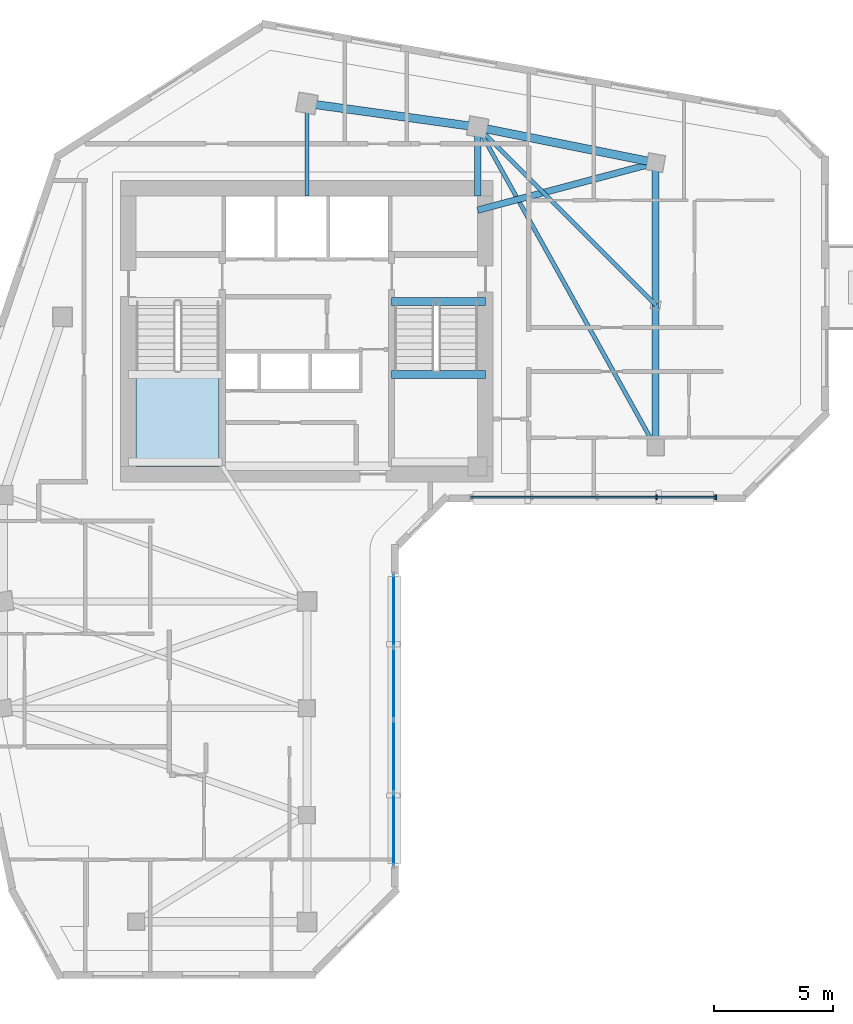
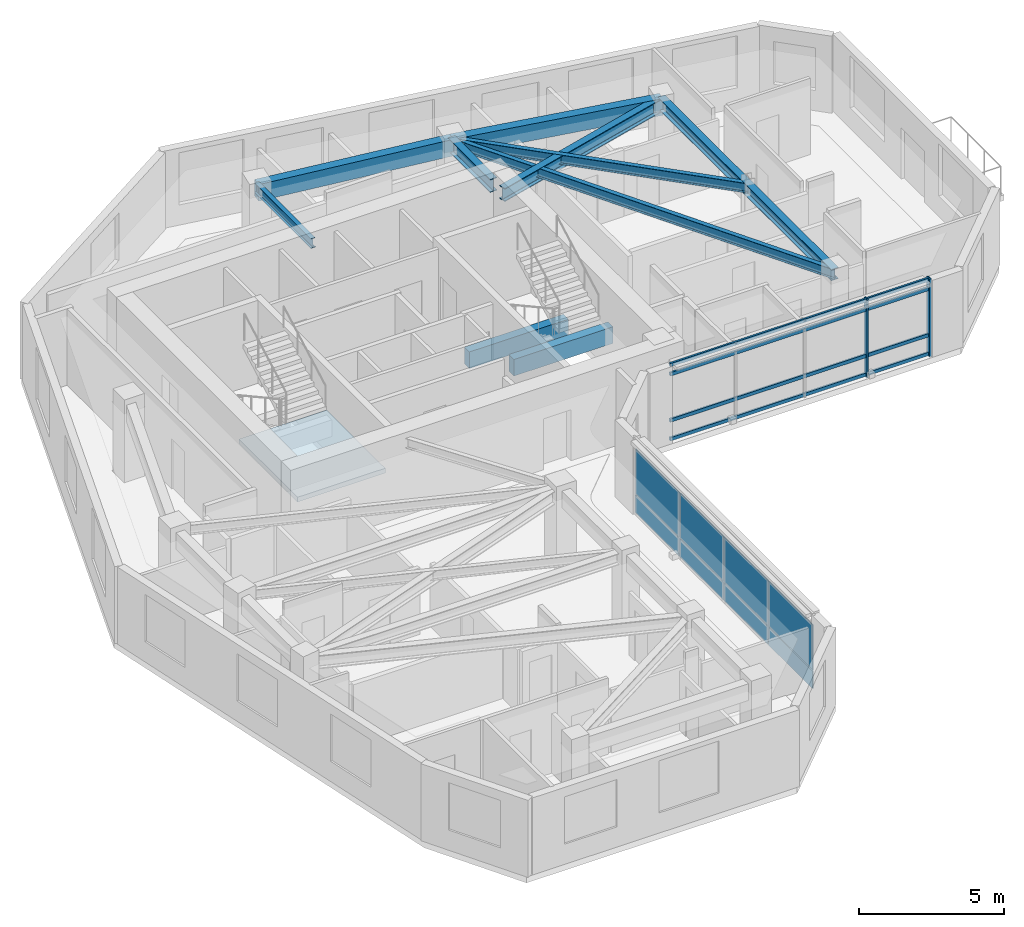
# One storey, part 2 of 10: 10 beams, 8 plates, 6 members, 1 slab, 3 elements without a shape of their own.
"""IFC4 building model written with IfcOpenShell, lengths in metres."""

from ifc_helpers import new_model, si_unit, direction, frame, frame_2d, origin, origin_2d, place, context, subcontext, project, spatial, polyline, rectangle, i_section, outline, extrude, source, transform, mapped, material, layer, layer_set, material_profile, profile_set, type_object, element, aggregate, save


model = new_model("IFC4")

# Units and contexts
model_context = context("Model", 3, precision=1e-05, world=origin(), true_north=direction((0.0, 1.0)))
body_context = subcontext(model_context, "Body", "Model", "MODEL_VIEW")
ifc_project = project(units=[si_unit("LENGTHUNIT", "METRE"), si_unit("AREAUNIT", "SQUARE_METRE"), si_unit("VOLUMEUNIT", "CUBIC_METRE"), si_unit("PLANEANGLEUNIT", "RADIAN"), si_unit("MASSUNIT", "GRAM", prefix="KILO")], contexts=[model_context])

# Site, building, storey
site_placement = place(None, origin())
site = spatial("IfcSite", under=ifc_project, at=site_placement, CompositionType="ELEMENT")
building_placement = place(site_placement, origin())
building = spatial("IfcBuilding", under=site, at=building_placement, Name="Calvemar Wedge Station Tower", CompositionType="ELEMENT")
storey_placement = place(building_placement, frame((0.0, 0.0, 214.89990234375)))
storey = spatial("IfcBuildingStorey", under=building, at=storey_placement, Name="L54", CompositionType="ELEMENT", Elevation=214.89990234375)

# Beams
ifc_material_1 = material(Name="Structural steel ASTM A572 Grade 50", Category="steel")
ifc_material_profile_1 = material_profile(ifc_material_1, i_section(OverallWidth=0.177978515625, OverallDepth=0.406982421875, WebThickness=0.0078125, FlangeThickness=0.0126953125, FilletRadius=0.010009765625, at=origin_2d()), Name="W410x60")
ifc_profile_set_1 = profile_set([ifc_material_profile_1], Name="Structural steel ASTM A572 Grade 50")
beam_type_1 = type_object("IfcBeamType", Name="BM-J3-W410", PredefinedType="JOIST", material=ifc_profile_set_1)
shared_shape_1 = source(origin(), body_context, "Body", "SweptSolid", [
    extrude(i_section(OverallWidth=0.177978515625, OverallDepth=0.406982421875, WebThickness=0.0078125, FlangeThickness=0.0126953125, FilletRadius=0.010009765625, at=origin_2d()), origin(), (0.0, 0.0, 1.0), 15.443359375),
])
beam_1_placement = place(storey_placement, frame((31.0, 48.5, 3.046630859375), z_axis=(0.485642931179, -0.874157276122, 0.0), x_axis=(0.874157276122, 0.485642931179, 0.0)))
element("IfcBeam", 1, at=beam_1_placement, inside=storey, type_object=beam_type_1, Name="Storey L54 Floor Beam T-N2-T-NL2", PredefinedType="JOIST", context=body_context, shape_type="MappedRepresentation", body=[
    mapped(shared_shape_1, transform((0.0, 0.0, 0.0), scale=1.0)),
])
ifc_material_profile_2 = material_profile(ifc_material_1, i_section(OverallWidth=0.279052734375, OverallDepth=0.553955078125, WebThickness=0.017578125, FlangeThickness=0.029541015625, FilletRadius=0.014892578125, at=origin_2d()), Name="W530x196")
ifc_profile_set_2 = profile_set([ifc_material_profile_2], Name="Structural steel ASTM A572 Grade 50")
beam_type_2 = type_object("IfcBeamType", Name="BM-SB3-W530H", PredefinedType="BEAM", material=ifc_profile_set_2)
shared_shape_2 = source(origin(), body_context, "Body", "SweptSolid", [
    extrude(i_section(OverallWidth=0.279052734375, OverallDepth=0.553955078125, WebThickness=0.017578125, FlangeThickness=0.029541015625, FilletRadius=0.014892578125, at=origin_2d()), origin(), (0.0, 0.0, 1.0), 7.76220703125),
])
beam_2_placement = place(storey_placement, frame((31.0, 45.0, 2.97314453125), z_axis=(0.966234939601, 0.25766265056, 0.0), x_axis=(-0.25766265056, 0.966234939601, 0.0)))
element("IfcBeam", 2, at=beam_2_placement, inside=storey, type_object=beam_type_2, Name="Storey L54 Core-to-Column Joist CJ-E2", PredefinedType="BEAM", context=body_context, shape_type="MappedRepresentation", body=[
    mapped(shared_shape_2, transform((0.0, 0.0, 0.0), scale=1.0)),
])
shared_shape_3 = source(origin(), body_context, "Body", "SweptSolid", [
    extrude(i_section(OverallWidth=0.177978515625, OverallDepth=0.406982421875, WebThickness=0.0078125, FlangeThickness=0.0126953125, FilletRadius=0.010009765625, at=origin_2d()), origin(), (0.0, 0.0, 1.0), 3.89990234375),
])
beam_3_placement = place(storey_placement, frame((23.800048828125, 45.60009765625, 3.046630859375), z_axis=(0.0, 1.0, 0.0), x_axis=(-1.0, 0.0, 0.0)))
element("IfcBeam", 3, at=beam_3_placement, inside=storey, type_object=beam_type_1, Name="Storey L54 Core-to-Column Joist CJ-N1", PredefinedType="JOIST", context=body_context, shape_type="MappedRepresentation", body=[
    mapped(shared_shape_3, transform((0.0, 0.0, 0.0), scale=1.0)),
])
shared_shape_4 = source(origin(), body_context, "Body", "SweptSolid", [
    extrude(i_section(OverallWidth=0.279052734375, OverallDepth=0.553955078125, WebThickness=0.017578125, FlangeThickness=0.029541015625, FilletRadius=0.014892578125, at=origin_2d()), origin(), (0.0, 0.0, 1.0), 2.89990234375),
])
beam_4_placement = place(storey_placement, frame((31.0, 45.60009765625, 2.97314453125), z_axis=(0.0, 1.0, 0.0), x_axis=(-1.0, 0.0, 0.0)))
element("IfcBeam", 4, at=beam_4_placement, inside=storey, type_object=beam_type_2, Name="Storey L54 Core-to-Column Joist CJ-N2", PredefinedType="BEAM", context=body_context, shape_type="MappedRepresentation", body=[
    mapped(shared_shape_4, transform((0.0, 0.0, 0.0), scale=1.0)),
])
shared_shape_5 = source(origin(), body_context, "Body", "SweptSolid", [
    extrude(i_section(OverallWidth=0.177978515625, OverallDepth=0.406982421875, WebThickness=0.0078125, FlangeThickness=0.0126953125, FilletRadius=0.010009765625, at=origin_2d()), origin(), (0.0, 0.0, 1.0), 10.606689453125),
])
beam_5_placement = place(storey_placement, frame((38.5, 41.0, 3.046630859375), z_axis=(-0.707106781187, 0.707106781187, 0.0), x_axis=(-0.707106781187, -0.707106781187, 0.0)))
element("IfcBeam", 5, at=beam_5_placement, inside=storey, type_object=beam_type_1, Name="Storey L54 Floor Beam T-NTIP-B-T-N2", PredefinedType="JOIST", context=body_context, shape_type="MappedRepresentation", body=[
    mapped(shared_shape_5, transform((0.0, 0.0, 0.0), scale=1.0)),
])
ifc_material_2 = material(Name="Concrete C70", Category="concrete")
ifc_material_profile_3 = material_profile(ifc_material_2, rectangle(XDim=0.35009765625, YDim=0.699951171875, at=origin_2d()), Name="RC350x700")
ifc_profile_set_3 = profile_set([ifc_material_profile_3], Name="Concrete C70")
beam_type_3 = type_object("IfcBeamType", Name="BM-LN1-700", PredefinedType="LINTEL", material=ifc_profile_set_3)
shared_shape_6 = source(origin(), body_context, "Body", "SweptSolid", [
    extrude(rectangle(XDim=0.35009765625, YDim=0.699951171875, at=origin_2d()), origin(), (0.0, 0.0, 1.0), 3.954833984375),
])
for number, where, z_axis, x_axis, name in (
    (6, (27.3701171875, 41.14990234375, -0.349853515625), (1.0, 0.0, 0.0), (0.0, 1.0, 0.0), "Storey L54 Stair ST-C2 Landing Trimmer Beam"),
    (7, (27.3701171875, 38.070068359375, 1.2001953125), (1.0, 0.0, 0.0), (0.0, 1.0, 0.0), "Storey L54 Stair ST-C2 Half-Landing Beam 1B"),
):
    element("IfcBeam", number, at=place(storey_placement, frame(where, z_axis=z_axis, x_axis=x_axis)), inside=storey, type_object=beam_type_3, Name=name, PredefinedType="LINTEL", context=body_context, shape_type="MappedRepresentation", body=[
        mapped(shared_shape_6, transform((0.0, 0.0, 0.0), scale=1.0)),
    ])
ifc_material_3 = material(Name="Concrete C50", Category="concrete")
ifc_material_profile_4 = material_profile(ifc_material_3, rectangle(XDim=0.35009765625, YDim=0.699951171875, at=origin_2d()), Name="RC350x700")
ifc_profile_set_4 = profile_set([ifc_material_profile_4], Name="Concrete C50")
beam_type_4 = type_object("IfcBeamType", Name="BM-SP2-700", PredefinedType="SPANDREL", material=ifc_profile_set_4)
shared_shape_7 = source(origin(), body_context, "Body", "SweptSolid", [
    extrude(rectangle(XDim=0.35009765625, YDim=0.699951171875, at=origin_2d()), origin(), (0.0, 0.0, 1.0), 7.26904296875),
])
beam_6_placement = place(storey_placement, frame((23.800048828125, 49.5, 2.900146484375), z_axis=(0.990492146053, -0.13756928657, 0.0), x_axis=(0.13756928657, 0.990492146053, 0.0)))
element("IfcBeam", 8, at=beam_6_placement, inside=storey, type_object=beam_type_4, Name="Storey L54 Spandrel T-N1-T-N2", PredefinedType="SPANDREL", context=body_context, shape_type="MappedRepresentation", body=[
    mapped(shared_shape_7, transform((0.0, 0.0, 0.0), scale=1.0)),
])
shared_shape_8 = source(origin(), body_context, "Body", "SweptSolid", [
    extrude(rectangle(XDim=0.35009765625, YDim=0.699951171875, at=origin_2d()), origin(), (0.0, 0.0, 1.0), 7.6484375),
])
beam_7_placement = place(storey_placement, frame((31.0, 48.5, 2.900146484375), z_axis=(0.980580675691, -0.196116135138, 0.0), x_axis=(0.196116135138, 0.980580675691, 0.0)))
element("IfcBeam", 9, at=beam_7_placement, inside=storey, type_object=beam_type_4, Name="Storey L54 Spandrel T-N2-T-NU3", PredefinedType="SPANDREL", context=body_context, shape_type="MappedRepresentation", body=[
    mapped(shared_shape_8, transform((0.0, 0.0, 0.0), scale=1.0)),
])
ifc_material_profile_5 = material_profile(ifc_material_1, i_section(OverallWidth=0.283935546875, OverallDepth=0.47607421875, WebThickness=0.014892578125, FlangeThickness=0.02392578125, FilletRadius=0.014892578125, at=origin_2d()), Name="W460x158")
ifc_profile_set_5 = profile_set([ifc_material_profile_5], Name="Structural steel ASTM A572 Grade 50")
beam_type_5 = type_object("IfcBeamType", Name="BM-SB5-W460H", PredefinedType="BEAM", material=ifc_profile_set_5)
shared_shape_9 = source(origin(), body_context, "Body", "SweptSolid", [
    extrude(i_section(OverallWidth=0.283935546875, OverallDepth=0.47607421875, WebThickness=0.014892578125, FlangeThickness=0.02392578125, FilletRadius=0.014892578125, at=origin_2d()), origin(), (0.0, 0.0, 1.0), 12.0),
])
beam_8_placement = place(storey_placement, frame((38.5, 47.0, 3.01220703125), z_axis=(0.0, -1.0, 0.0), x_axis=(1.0, 0.0, 0.0)))
element("IfcBeam", 10, at=beam_8_placement, inside=storey, type_object=beam_type_5, Name="Storey L54 Floor Beam T-NU3-T-NL2", PredefinedType="BEAM", context=body_context, shape_type="MappedRepresentation", body=[
    mapped(shared_shape_9, transform((0.0, 0.0, 0.0), scale=1.0)),
])

# Curtain wall, members
ifc_material_4 = material(Name="Anodised aluminium 6063-T6", Category="aluminium")
curtain_wall_type = type_object("IfcCurtainWallType", Name="CW3", PredefinedType="NOTDEFINED", material=ifc_material_4)
curtain_wall_1_placement = place(storey_placement, origin())
curtain_wall_1 = element("IfcCurtainWall", 11, at=curtain_wall_1_placement, inside=storey, type_object=curtain_wall_type, Name="Storey L54 CW3 Recessed Unitised Curtain Wall 6", PredefinedType="NOTDEFINED")
ifc_material_profile_6 = material_profile(ifc_material_4, rectangle(XDim=0.074951171875, YDim=0.2099609375, at=origin_2d()), Name="AL-MUL-75x210")
ifc_profile_set_6 = profile_set([ifc_material_profile_6], Name="Anodised aluminium 6063-T6")
member_type_1 = type_object("IfcMemberType", Name="CW3-MUL", PredefinedType="MULLION", material=ifc_profile_set_6)
shared_shape_10 = source(origin(), body_context, "Body", "SweptSolid", [
    extrude(rectangle(XDim=0.074951171875, YDim=0.2099609375, at=origin_2d()), origin(), (0.0, 0.0, 1.0), 3.2998046875),
])
member_1_placement = place(storey_placement, frame((38.5390625, 32.902099609375, -0.0498046875), z_axis=(0.0, 0.0, 1.0), x_axis=(1.0, 0.0, 0.0)))
member_1 = element("IfcMember", 12, at=member_1_placement, type_object=member_type_1, Name="CW3 mullion 4", PredefinedType="MULLION", context=body_context, shape_type="MappedRepresentation", body=[
    mapped(shared_shape_10, transform((0.0, 0.0, 0.0), scale=1.0)),
])
member_2_placement = place(storey_placement, frame((41.037841796875, 32.902099609375, -0.0498046875), z_axis=(0.0, 0.0, 1.0), x_axis=(1.0, 0.0, 0.0)))
member_2 = element("IfcMember", 13, at=member_2_placement, type_object=member_type_1, Name="CW3 mullion 5", PredefinedType="MULLION", context=body_context, shape_type="MappedRepresentation", body=[
    mapped(shared_shape_10, transform((0.0, 0.0, 0.0), scale=1.0)),
])
ifc_material_profile_7 = material_profile(ifc_material_4, rectangle(XDim=0.074951171875, YDim=0.14501953125, at=origin_2d()), Name="AL-TRN-75x145")
ifc_profile_set_7 = profile_set([ifc_material_profile_7], Name="Anodised aluminium 6063-T6")
member_type_2 = type_object("IfcMemberType", Name="CW3-TRN", PredefinedType="USERDEFINED", material=ifc_profile_set_7)
shared_shape_11 = source(origin(), body_context, "Body", "SweptSolid", [
    extrude(rectangle(XDim=0.074951171875, YDim=0.14501953125, at=origin_2d()), origin(), (0.0, 0.0, 1.0), 10.3359375),
])
member_3_placement = place(storey_placement, frame((30.701904296875, 32.902099609375, 0.06005859375), z_axis=(1.0, 0.0, 0.0), x_axis=(0.0, 1.0, 0.0)))
member_3 = element("IfcMember", 14, at=member_3_placement, type_object=member_type_2, Name="CW3 transom 1", ObjectType="TRANSOM", PredefinedType="USERDEFINED", context=body_context, shape_type="MappedRepresentation", body=[
    mapped(shared_shape_11, transform((0.0, 0.0, 0.0), scale=1.0)),
])
member_4_placement = place(storey_placement, frame((30.701904296875, 32.902099609375, 0.85009765625), z_axis=(1.0, 0.0, 0.0), x_axis=(0.0, 1.0, 0.0)))
member_4 = element("IfcMember", 15, at=member_4_placement, type_object=member_type_2, Name="CW3 transom 2", ObjectType="TRANSOM", PredefinedType="USERDEFINED", context=body_context, shape_type="MappedRepresentation", body=[
    mapped(shared_shape_11, transform((0.0, 0.0, 0.0), scale=1.0)),
])
member_5_placement = place(storey_placement, frame((30.701904296875, 32.902099609375, 2.800048828125), z_axis=(1.0, 0.0, 0.0), x_axis=(0.0, 1.0, 0.0)))
member_5 = element("IfcMember", 16, at=member_5_placement, type_object=member_type_2, Name="CW3 transom 3", ObjectType="TRANSOM", PredefinedType="USERDEFINED", context=body_context, shape_type="MappedRepresentation", body=[
    mapped(shared_shape_11, transform((0.0, 0.0, 0.0), scale=1.0)),
])
member_6_placement = place(storey_placement, frame((30.701904296875, 32.902099609375, 3.190185546875), z_axis=(1.0, 0.0, 0.0), x_axis=(0.0, 1.0, 0.0)))
member_6 = element("IfcMember", 17, at=member_6_placement, type_object=member_type_2, Name="CW3 transom 4", ObjectType="TRANSOM", PredefinedType="USERDEFINED", context=body_context, shape_type="MappedRepresentation", body=[
    mapped(shared_shape_11, transform((0.0, 0.0, 0.0), scale=1.0)),
])
aggregate(curtain_wall_1, [member_1, member_2, member_3, member_4, member_5, member_6])

# Curtain wall, plates
curtain_wall_2_placement = place(storey_placement, origin())
curtain_wall_2 = element("IfcCurtainWall", 18, at=curtain_wall_2_placement, inside=storey, type_object=curtain_wall_type, Name="Storey L54 CW3 Recessed Unitised Curtain Wall 4", PredefinedType="NOTDEFINED")
ifc_material_5 = material(Name="Low-E laminated insulated glass", Category="glass")
ifc_layer_1 = layer(ifc_material_5, 0.028076171875)
ifc_layer_set_1 = layer_set([ifc_layer_1], Name="Low-E laminated insulated glass")
plate_type_1 = type_object("IfcPlateType", Name="CW3-GLZ", PredefinedType="CURTAIN_PANEL", material=ifc_layer_set_1)
plate_1_placement = place(storey_placement, frame((27.4541015625, 17.380126953125, 0.8701171875), z_axis=(0.0, 0.0, 1.0), x_axis=(0.0, 1.0, 0.0)))
plate_1 = element("IfcPlate", 19, at=plate_1_placement, type_object=plate_type_1, Name="CW3 vision glass panel 1", PredefinedType="CURTAIN_PANEL", context=body_context, shape_type="SweptSolid", body=[
    extrude(rectangle(XDim=3.036865234375, YDim=0.028076171875, at=frame_2d((1.5185546875, 0.0))), origin(), (0.0, 0.0, 1.0), 1.909912109375),
])
plate_2_placement = place(storey_placement, frame((27.4541015625, 20.453125, 0.8701171875), z_axis=(0.0, 0.0, 1.0), x_axis=(0.0, 1.0, 0.0)))
plate_2 = element("IfcPlate", 20, at=plate_2_placement, type_object=plate_type_1, Name="CW3 vision glass panel 2", PredefinedType="CURTAIN_PANEL", context=body_context, shape_type="SweptSolid", body=[
    extrude(rectangle(XDim=3.036865234375, YDim=0.028076171875, at=frame_2d((1.5185546875, 0.0))), origin(), (0.0, 0.0, 1.0), 1.909912109375),
])
plate_3_placement = place(storey_placement, frame((27.4541015625, 23.526123046875, 0.8701171875), z_axis=(0.0, 0.0, 1.0), x_axis=(0.0, 1.0, 0.0)))
plate_3 = element("IfcPlate", 21, at=plate_3_placement, type_object=plate_type_1, Name="CW3 vision glass panel 3", PredefinedType="CURTAIN_PANEL", context=body_context, shape_type="SweptSolid", body=[
    extrude(rectangle(XDim=3.036865234375, YDim=0.028076171875, at=frame_2d((1.5185546875, 0.0))), origin(), (0.0, 0.0, 1.0), 1.909912109375),
])
plate_4_placement = place(storey_placement, frame((27.4541015625, 26.59912109375, 0.8701171875), z_axis=(0.0, 0.0, 1.0), x_axis=(0.0, 1.0, 0.0)))
plate_4 = element("IfcPlate", 22, at=plate_4_placement, type_object=plate_type_1, Name="CW3 vision glass panel 4", PredefinedType="CURTAIN_PANEL", context=body_context, shape_type="SweptSolid", body=[
    extrude(rectangle(XDim=3.036865234375, YDim=0.028076171875, at=frame_2d((1.5185546875, 0.0))), origin(), (0.0, 0.0, 1.0), 1.909912109375),
])
ifc_material_6 = material(Name="Oxidized bronze aluminium spandrel panel 5005-H24", Category="aluminium")
ifc_layer_2 = layer(ifc_material_6, 0.0400390625)
ifc_layer_set_2 = layer_set([ifc_layer_2], Name="Oxidized bronze aluminium spandrel panel 5005-H24")
plate_type_2 = type_object("IfcPlateType", Name="CW3-SPD", PredefinedType="SHEET", material=ifc_layer_set_2)
plate_5_placement = place(storey_placement, frame((27.4541015625, 17.380126953125, 0.080078125), z_axis=(0.0, 0.0, 1.0), x_axis=(0.0, 1.0, 0.0)))
plate_5 = element("IfcPlate", 23, at=plate_5_placement, type_object=plate_type_2, Name="CW3 bronze spandrel panel 1", PredefinedType="SHEET", context=body_context, shape_type="SweptSolid", body=[
    extrude(rectangle(XDim=3.036865234375, YDim=0.0400390625, at=frame_2d((1.5185546875, 0.0))), origin(), (0.0, 0.0, 1.0), 0.75),
])
plate_6_placement = place(storey_placement, frame((27.4541015625, 20.453125, 0.080078125), z_axis=(0.0, 0.0, 1.0), x_axis=(0.0, 1.0, 0.0)))
plate_6 = element("IfcPlate", 24, at=plate_6_placement, type_object=plate_type_2, Name="CW3 bronze spandrel panel 2", PredefinedType="SHEET", context=body_context, shape_type="SweptSolid", body=[
    extrude(rectangle(XDim=3.036865234375, YDim=0.0400390625, at=frame_2d((1.5185546875, 0.0))), origin(), (0.0, 0.0, 1.0), 0.75),
])
plate_7_placement = place(storey_placement, frame((27.4541015625, 23.526123046875, 0.080078125), z_axis=(0.0, 0.0, 1.0), x_axis=(0.0, 1.0, 0.0)))
plate_7 = element("IfcPlate", 25, at=plate_7_placement, type_object=plate_type_2, Name="CW3 bronze spandrel panel 3", PredefinedType="SHEET", context=body_context, shape_type="SweptSolid", body=[
    extrude(rectangle(XDim=3.036865234375, YDim=0.0400390625, at=frame_2d((1.5185546875, 0.0))), origin(), (0.0, 0.0, 1.0), 0.75),
])
plate_8_placement = place(storey_placement, frame((27.4541015625, 26.59912109375, 0.080078125), z_axis=(0.0, 0.0, 1.0), x_axis=(0.0, 1.0, 0.0)))
plate_8 = element("IfcPlate", 26, at=plate_8_placement, type_object=plate_type_2, Name="CW3 bronze spandrel panel 4", PredefinedType="SHEET", context=body_context, shape_type="SweptSolid", body=[
    extrude(rectangle(XDim=3.036865234375, YDim=0.0400390625, at=frame_2d((1.5185546875, 0.0))), origin(), (0.0, 0.0, 1.0), 0.75),
])
aggregate(curtain_wall_2, [plate_5, plate_1, plate_6, plate_2, plate_7, plate_3, plate_8, plate_4])

# Stair, slab
ifc_material_7 = material(Name="Concrete C45", Category="concrete")
stair_type = type_object("IfcStairType", Name="ST-TYPE-3500", PredefinedType="HALF_TURN_STAIR", material=ifc_material_7)
stair_placement = place(storey_placement, origin())
stair = element("IfcStair", 27, at=stair_placement, inside=storey, type_object=stair_type, Name="L54 Pressurized Core Exit Stair ST-C1", PredefinedType="HALF_TURN_STAIR")
ifc_layer_3 = layer(ifc_material_7, 0.199951171875)
ifc_layer_set_3 = layer_set([ifc_layer_3], Name="Concrete C45")
slab_type = type_object("IfcSlabType", Name="SL-STAIR-LND-200", PredefinedType="LANDING", material=ifc_layer_set_3)
slab_placement = place(storey_placement, frame((0.0, 0.0, 1.550048828125)))
slab = element("IfcSlab", 28, at=slab_placement, type_object=slab_type, Name="ST-C1 landing 1", PredefinedType="LANDING", context=body_context, shape_type="SweptSolid", body=[
    extrude(outline(polyline([(16.60009765625, 38.25), (16.60009765625, 34.199951171875), (20.10009765625, 34.199951171875), (20.10009765625, 38.25), (16.60009765625, 38.25)])), origin(), (0.0, 0.0, 1.0), 0.199951171875),
])
aggregate(stair, [slab])

save(model, "model.ifc")
